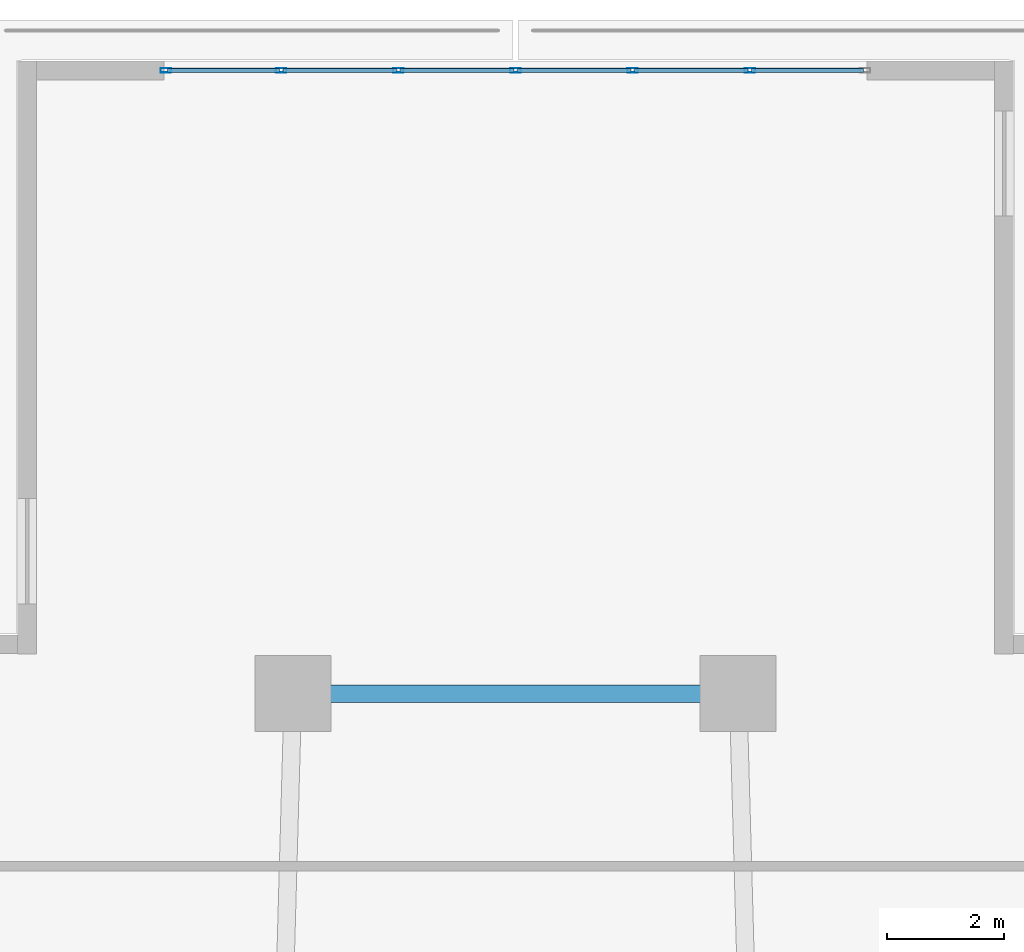
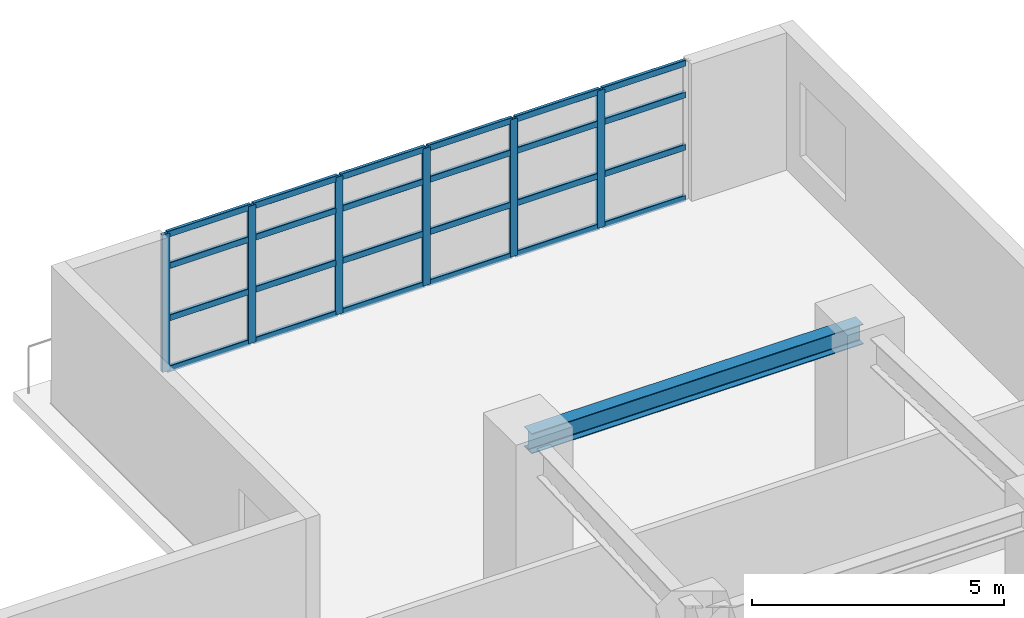
# One storey, part 9 of 23: 30 members, 1 beam, 1 element without a shape of its own.
"""IFC4 building model written with IfcOpenShell, lengths in metres."""

from ifc_helpers import new_model, si_unit, direction, frame, origin, origin_2d, place, context, subcontext, project, spatial, hollow_rectangle, i_section, extrude, material, layer, layer_set, material_profile, profile_set, type_object, element, aggregate, save


model = new_model("IFC4")

# Units and contexts
model_context = context("Model", 3, precision=1e-05, world=origin(), true_north=direction((0.0, 1.0)))
body_context = subcontext(model_context, "Body", "Model", "MODEL_VIEW")
ifc_project = project(units=[si_unit("LENGTHUNIT", "METRE"), si_unit("AREAUNIT", "SQUARE_METRE"), si_unit("VOLUMEUNIT", "CUBIC_METRE"), si_unit("PLANEANGLEUNIT", "RADIAN"), si_unit("MASSUNIT", "GRAM", prefix="KILO")], contexts=[model_context])

# Site, building, storey
site_placement = place(None, origin())
site = spatial("IfcSite", under=ifc_project, at=site_placement, CompositionType="ELEMENT")
building_placement = place(site_placement, origin())
building = spatial("IfcBuilding", under=site, at=building_placement, Name="Qingluan Cross Belvedere", CompositionType="ELEMENT")
storey_placement = place(building_placement, frame((0.0, 0.0, 10.199951171875)))
storey = spatial("IfcBuildingStorey", under=building, at=storey_placement, Name="L03", CompositionType="ELEMENT", Elevation=10.199951171875)

# Curtain wall, members
ifc_material_1 = material(Name="Thermally broken aluminium and Low-E glass", Category="aluminium")
ifc_layer = layer(ifc_material_1, 0.219970703125, Name="UnitisedCW_BallroomFoyer")
ifc_layer_set = layer_set([ifc_layer], Name="Thermally broken aluminium and Low-E glass")
curtain_wall_type = type_object("IfcCurtainWallType", Name="UnitisedCW_BallroomFoyer", PredefinedType="USERDEFINED", material=ifc_layer_set)
curtain_wall_placement = place(storey_placement, origin())
curtain_wall = element("IfcCurtainWall", 1, at=curtain_wall_placement, inside=storey, type_object=curtain_wall_type, Name="UnitisedCW_BallroomFoyer run env:cw:L03:N", ObjectType="UNITISED CURTAIN WALL", PredefinedType="USERDEFINED")
ifc_material_2 = material(Name="Aluminium alloy 6063-T6", Category="aluminium")
ifc_material_profile_1 = material_profile(ifc_material_2, hollow_rectangle(XDim=0.074951171875, YDim=0.179931640625, WallThickness=0.00390625, InnerFilletRadius=0.00390625, OuterFilletRadius=0.008056640625, at=origin_2d()), Name="CWM180x75x4")
ifc_profile_set_1 = profile_set([ifc_material_profile_1], Name="Aluminium alloy 6063-T6")
member_type_1 = type_object("IfcMemberType", Name="CWMullion_180", PredefinedType="MULLION", material=ifc_profile_set_1)
member_1_placement = place(storey_placement, frame((-5.969970703125, 37.639892578125, 0.0), z_axis=(0.0, 0.0, 1.0), x_axis=(0.0, 1.0, 0.0)))
member_1 = element("IfcMember", 2, at=member_1_placement, type_object=member_type_1, Name="CW-P2 mullion 1", PredefinedType="MULLION", context=body_context, shape_type="SweptSolid", body=[
    extrude(hollow_rectangle(XDim=0.074951171875, YDim=0.179931640625, WallThickness=0.00390625, InnerFilletRadius=0.00390625, OuterFilletRadius=0.008056640625, at=origin_2d()), origin(), (0.0, 0.0, 1.0), 3.330078125),
])
member_2_placement = place(storey_placement, frame((-4.0, 37.639892578125, 0.0), z_axis=(0.0, 0.0, 1.0), x_axis=(0.0, 1.0, 0.0)))
member_2 = element("IfcMember", 3, at=member_2_placement, type_object=member_type_1, Name="CW-P2 mullion 2", PredefinedType="MULLION", context=body_context, shape_type="SweptSolid", body=[
    extrude(hollow_rectangle(XDim=0.074951171875, YDim=0.179931640625, WallThickness=0.00390625, InnerFilletRadius=0.00390625, OuterFilletRadius=0.008056640625, at=origin_2d()), origin(), (0.0, 0.0, 1.0), 3.330078125),
])
member_3_placement = place(storey_placement, frame((-2.0, 37.639892578125, 0.0), z_axis=(0.0, 0.0, 1.0), x_axis=(0.0, 1.0, 0.0)))
member_3 = element("IfcMember", 4, at=member_3_placement, type_object=member_type_1, Name="CW-P2 mullion 3", PredefinedType="MULLION", context=body_context, shape_type="SweptSolid", body=[
    extrude(hollow_rectangle(XDim=0.074951171875, YDim=0.179931640625, WallThickness=0.00390625, InnerFilletRadius=0.00390625, OuterFilletRadius=0.008056640625, at=origin_2d()), origin(), (0.0, 0.0, 1.0), 3.330078125),
])
member_4_placement = place(storey_placement, frame((0.0, 37.639892578125, 0.0), z_axis=(0.0, 0.0, 1.0), x_axis=(0.0, 1.0, 0.0)))
member_4 = element("IfcMember", 5, at=member_4_placement, type_object=member_type_1, Name="CW-P2 mullion 4", PredefinedType="MULLION", context=body_context, shape_type="SweptSolid", body=[
    extrude(hollow_rectangle(XDim=0.074951171875, YDim=0.179931640625, WallThickness=0.00390625, InnerFilletRadius=0.00390625, OuterFilletRadius=0.008056640625, at=origin_2d()), origin(), (0.0, 0.0, 1.0), 3.330078125),
])
member_5_placement = place(storey_placement, frame((2.0, 37.639892578125, 0.0), z_axis=(0.0, 0.0, 1.0), x_axis=(0.0, 1.0, 0.0)))
member_5 = element("IfcMember", 6, at=member_5_placement, type_object=member_type_1, Name="CW-P2 mullion 5", PredefinedType="MULLION", context=body_context, shape_type="SweptSolid", body=[
    extrude(hollow_rectangle(XDim=0.074951171875, YDim=0.179931640625, WallThickness=0.00390625, InnerFilletRadius=0.00390625, OuterFilletRadius=0.008056640625, at=origin_2d()), origin(), (0.0, 0.0, 1.0), 3.330078125),
])
member_6_placement = place(storey_placement, frame((4.0, 37.639892578125, 0.0), z_axis=(0.0, 0.0, 1.0), x_axis=(0.0, 1.0, 0.0)))
member_6 = element("IfcMember", 7, at=member_6_placement, type_object=member_type_1, Name="CW-P2 mullion 6", PredefinedType="MULLION", context=body_context, shape_type="SweptSolid", body=[
    extrude(hollow_rectangle(XDim=0.074951171875, YDim=0.179931640625, WallThickness=0.00390625, InnerFilletRadius=0.00390625, OuterFilletRadius=0.008056640625, at=origin_2d()), origin(), (0.0, 0.0, 1.0), 3.330078125),
])
ifc_material_3 = material(Name="Aluminium alloy 6063-T6", Category="aluminium")
ifc_material_profile_2 = material_profile(ifc_material_3, hollow_rectangle(XDim=0.074951171875, YDim=0.14990234375, WallThickness=0.00390625, InnerFilletRadius=0.00390625, OuterFilletRadius=0.008056640625, at=origin_2d()), Name="CWT150x75x4")
ifc_profile_set_2 = profile_set([ifc_material_profile_2], Name="Aluminium alloy 6063-T6")
member_type_2 = type_object("IfcMemberType", Name="CWTransom_150", PredefinedType="USERDEFINED", material=ifc_profile_set_2)
member_7_placement = place(storey_placement, frame((-5.93994140625, 37.639892578125, 0.030029296875), z_axis=(1.0, 0.0, 0.0), x_axis=(0.0, 1.0, 0.0)))
member_7 = element("IfcMember", 8, at=member_7_placement, type_object=member_type_2, Name="CW-P2 transom 1.1", ObjectType="TRANSOM", PredefinedType="USERDEFINED", context=body_context, shape_type="SweptSolid", body=[
    extrude(hollow_rectangle(XDim=0.074951171875, YDim=0.14990234375, WallThickness=0.00390625, InnerFilletRadius=0.00390625, OuterFilletRadius=0.008056640625, at=origin_2d()), origin(), (0.0, 0.0, 1.0), 1.909912109375),
])
member_8_placement = place(storey_placement, frame((-5.93994140625, 37.639892578125, 1.26513671875), z_axis=(1.0, 0.0, 0.0), x_axis=(0.0, 1.0, 0.0)))
member_8 = element("IfcMember", 9, at=member_8_placement, type_object=member_type_2, Name="CW-P2 transom 1.2", ObjectType="TRANSOM", PredefinedType="USERDEFINED", context=body_context, shape_type="SweptSolid", body=[
    extrude(hollow_rectangle(XDim=0.074951171875, YDim=0.14990234375, WallThickness=0.00390625, InnerFilletRadius=0.00390625, OuterFilletRadius=0.008056640625, at=origin_2d()), origin(), (0.0, 0.0, 1.0), 1.909912109375),
])
member_9_placement = place(storey_placement, frame((-5.93994140625, 37.639892578125, 2.531005859375), z_axis=(1.0, 0.0, 0.0), x_axis=(0.0, 1.0, 0.0)))
member_9 = element("IfcMember", 10, at=member_9_placement, type_object=member_type_2, Name="CW-P2 transom 1.3", ObjectType="TRANSOM", PredefinedType="USERDEFINED", context=body_context, shape_type="SweptSolid", body=[
    extrude(hollow_rectangle(XDim=0.074951171875, YDim=0.14990234375, WallThickness=0.00390625, InnerFilletRadius=0.00390625, OuterFilletRadius=0.008056640625, at=origin_2d()), origin(), (0.0, 0.0, 1.0), 1.909912109375),
])
member_10_placement = place(storey_placement, frame((-5.93994140625, 37.639892578125, 3.300048828125), z_axis=(1.0, 0.0, 0.0), x_axis=(0.0, 1.0, 0.0)))
member_10 = element("IfcMember", 11, at=member_10_placement, type_object=member_type_2, Name="CW-P2 transom 1.4", ObjectType="TRANSOM", PredefinedType="USERDEFINED", context=body_context, shape_type="SweptSolid", body=[
    extrude(hollow_rectangle(XDim=0.074951171875, YDim=0.14990234375, WallThickness=0.00390625, InnerFilletRadius=0.00390625, OuterFilletRadius=0.008056640625, at=origin_2d()), origin(), (0.0, 0.0, 1.0), 1.909912109375),
])
member_11_placement = place(storey_placement, frame((-3.969970703125, 37.639892578125, 0.030029296875), z_axis=(1.0, 0.0, 0.0), x_axis=(0.0, 1.0, 0.0)))
member_11 = element("IfcMember", 12, at=member_11_placement, type_object=member_type_2, Name="CW-P2 transom 2.1", ObjectType="TRANSOM", PredefinedType="USERDEFINED", context=body_context, shape_type="SweptSolid", body=[
    extrude(hollow_rectangle(XDim=0.074951171875, YDim=0.14990234375, WallThickness=0.00390625, InnerFilletRadius=0.00390625, OuterFilletRadius=0.008056640625, at=origin_2d()), origin(), (0.0, 0.0, 1.0), 1.93994140625),
])
member_12_placement = place(storey_placement, frame((-3.969970703125, 37.639892578125, 1.26513671875), z_axis=(1.0, 0.0, 0.0), x_axis=(0.0, 1.0, 0.0)))
member_12 = element("IfcMember", 13, at=member_12_placement, type_object=member_type_2, Name="CW-P2 transom 2.2", ObjectType="TRANSOM", PredefinedType="USERDEFINED", context=body_context, shape_type="SweptSolid", body=[
    extrude(hollow_rectangle(XDim=0.074951171875, YDim=0.14990234375, WallThickness=0.00390625, InnerFilletRadius=0.00390625, OuterFilletRadius=0.008056640625, at=origin_2d()), origin(), (0.0, 0.0, 1.0), 1.93994140625),
])
member_13_placement = place(storey_placement, frame((-3.969970703125, 37.639892578125, 2.531005859375), z_axis=(1.0, 0.0, 0.0), x_axis=(0.0, 1.0, 0.0)))
member_13 = element("IfcMember", 14, at=member_13_placement, type_object=member_type_2, Name="CW-P2 transom 2.3", ObjectType="TRANSOM", PredefinedType="USERDEFINED", context=body_context, shape_type="SweptSolid", body=[
    extrude(hollow_rectangle(XDim=0.074951171875, YDim=0.14990234375, WallThickness=0.00390625, InnerFilletRadius=0.00390625, OuterFilletRadius=0.008056640625, at=origin_2d()), origin(), (0.0, 0.0, 1.0), 1.93994140625),
])
member_14_placement = place(storey_placement, frame((-3.969970703125, 37.639892578125, 3.300048828125), z_axis=(1.0, 0.0, 0.0), x_axis=(0.0, 1.0, 0.0)))
member_14 = element("IfcMember", 15, at=member_14_placement, type_object=member_type_2, Name="CW-P2 transom 2.4", ObjectType="TRANSOM", PredefinedType="USERDEFINED", context=body_context, shape_type="SweptSolid", body=[
    extrude(hollow_rectangle(XDim=0.074951171875, YDim=0.14990234375, WallThickness=0.00390625, InnerFilletRadius=0.00390625, OuterFilletRadius=0.008056640625, at=origin_2d()), origin(), (0.0, 0.0, 1.0), 1.93994140625),
])
member_15_placement = place(storey_placement, frame((-1.969970703125, 37.639892578125, 0.030029296875), z_axis=(1.0, 0.0, 0.0), x_axis=(0.0, 1.0, 0.0)))
member_15 = element("IfcMember", 16, at=member_15_placement, type_object=member_type_2, Name="CW-P2 transom 3.1", ObjectType="TRANSOM", PredefinedType="USERDEFINED", context=body_context, shape_type="SweptSolid", body=[
    extrude(hollow_rectangle(XDim=0.074951171875, YDim=0.14990234375, WallThickness=0.00390625, InnerFilletRadius=0.00390625, OuterFilletRadius=0.008056640625, at=origin_2d()), origin(), (0.0, 0.0, 1.0), 1.93994140625),
])
member_16_placement = place(storey_placement, frame((-1.969970703125, 37.639892578125, 1.26513671875), z_axis=(1.0, 0.0, 0.0), x_axis=(0.0, 1.0, 0.0)))
member_16 = element("IfcMember", 17, at=member_16_placement, type_object=member_type_2, Name="CW-P2 transom 3.2", ObjectType="TRANSOM", PredefinedType="USERDEFINED", context=body_context, shape_type="SweptSolid", body=[
    extrude(hollow_rectangle(XDim=0.074951171875, YDim=0.14990234375, WallThickness=0.00390625, InnerFilletRadius=0.00390625, OuterFilletRadius=0.008056640625, at=origin_2d()), origin(), (0.0, 0.0, 1.0), 1.93994140625),
])
member_17_placement = place(storey_placement, frame((-1.969970703125, 37.639892578125, 2.531005859375), z_axis=(1.0, 0.0, 0.0), x_axis=(0.0, 1.0, 0.0)))
member_17 = element("IfcMember", 18, at=member_17_placement, type_object=member_type_2, Name="CW-P2 transom 3.3", ObjectType="TRANSOM", PredefinedType="USERDEFINED", context=body_context, shape_type="SweptSolid", body=[
    extrude(hollow_rectangle(XDim=0.074951171875, YDim=0.14990234375, WallThickness=0.00390625, InnerFilletRadius=0.00390625, OuterFilletRadius=0.008056640625, at=origin_2d()), origin(), (0.0, 0.0, 1.0), 1.93994140625),
])
member_18_placement = place(storey_placement, frame((-1.969970703125, 37.639892578125, 3.300048828125), z_axis=(1.0, 0.0, 0.0), x_axis=(0.0, 1.0, 0.0)))
member_18 = element("IfcMember", 19, at=member_18_placement, type_object=member_type_2, Name="CW-P2 transom 3.4", ObjectType="TRANSOM", PredefinedType="USERDEFINED", context=body_context, shape_type="SweptSolid", body=[
    extrude(hollow_rectangle(XDim=0.074951171875, YDim=0.14990234375, WallThickness=0.00390625, InnerFilletRadius=0.00390625, OuterFilletRadius=0.008056640625, at=origin_2d()), origin(), (0.0, 0.0, 1.0), 1.93994140625),
])
member_19_placement = place(storey_placement, frame((0.030029296875, 37.639892578125, 0.030029296875), z_axis=(1.0, 0.0, 0.0), x_axis=(0.0, 1.0, 0.0)))
member_19 = element("IfcMember", 20, at=member_19_placement, type_object=member_type_2, Name="CW-P2 transom 4.1", ObjectType="TRANSOM", PredefinedType="USERDEFINED", context=body_context, shape_type="SweptSolid", body=[
    extrude(hollow_rectangle(XDim=0.074951171875, YDim=0.14990234375, WallThickness=0.00390625, InnerFilletRadius=0.00390625, OuterFilletRadius=0.008056640625, at=origin_2d()), origin(), (0.0, 0.0, 1.0), 1.93994140625),
])
member_20_placement = place(storey_placement, frame((0.030029296875, 37.639892578125, 1.26513671875), z_axis=(1.0, 0.0, 0.0), x_axis=(0.0, 1.0, 0.0)))
member_20 = element("IfcMember", 21, at=member_20_placement, type_object=member_type_2, Name="CW-P2 transom 4.2", ObjectType="TRANSOM", PredefinedType="USERDEFINED", context=body_context, shape_type="SweptSolid", body=[
    extrude(hollow_rectangle(XDim=0.074951171875, YDim=0.14990234375, WallThickness=0.00390625, InnerFilletRadius=0.00390625, OuterFilletRadius=0.008056640625, at=origin_2d()), origin(), (0.0, 0.0, 1.0), 1.93994140625),
])
member_21_placement = place(storey_placement, frame((0.030029296875, 37.639892578125, 2.531005859375), z_axis=(1.0, 0.0, 0.0), x_axis=(0.0, 1.0, 0.0)))
member_21 = element("IfcMember", 22, at=member_21_placement, type_object=member_type_2, Name="CW-P2 transom 4.3", ObjectType="TRANSOM", PredefinedType="USERDEFINED", context=body_context, shape_type="SweptSolid", body=[
    extrude(hollow_rectangle(XDim=0.074951171875, YDim=0.14990234375, WallThickness=0.00390625, InnerFilletRadius=0.00390625, OuterFilletRadius=0.008056640625, at=origin_2d()), origin(), (0.0, 0.0, 1.0), 1.93994140625),
])
member_22_placement = place(storey_placement, frame((0.030029296875, 37.639892578125, 3.300048828125), z_axis=(1.0, 0.0, 0.0), x_axis=(0.0, 1.0, 0.0)))
member_22 = element("IfcMember", 23, at=member_22_placement, type_object=member_type_2, Name="CW-P2 transom 4.4", ObjectType="TRANSOM", PredefinedType="USERDEFINED", context=body_context, shape_type="SweptSolid", body=[
    extrude(hollow_rectangle(XDim=0.074951171875, YDim=0.14990234375, WallThickness=0.00390625, InnerFilletRadius=0.00390625, OuterFilletRadius=0.008056640625, at=origin_2d()), origin(), (0.0, 0.0, 1.0), 1.93994140625),
])
member_23_placement = place(storey_placement, frame((2.030029296875, 37.639892578125, 0.030029296875), z_axis=(1.0, 0.0, 0.0), x_axis=(0.0, 1.0, 0.0)))
member_23 = element("IfcMember", 24, at=member_23_placement, type_object=member_type_2, Name="CW-P2 transom 5.1", ObjectType="TRANSOM", PredefinedType="USERDEFINED", context=body_context, shape_type="SweptSolid", body=[
    extrude(hollow_rectangle(XDim=0.074951171875, YDim=0.14990234375, WallThickness=0.00390625, InnerFilletRadius=0.00390625, OuterFilletRadius=0.008056640625, at=origin_2d()), origin(), (0.0, 0.0, 1.0), 1.93994140625),
])
member_24_placement = place(storey_placement, frame((2.030029296875, 37.639892578125, 1.26513671875), z_axis=(1.0, 0.0, 0.0), x_axis=(0.0, 1.0, 0.0)))
member_24 = element("IfcMember", 25, at=member_24_placement, type_object=member_type_2, Name="CW-P2 transom 5.2", ObjectType="TRANSOM", PredefinedType="USERDEFINED", context=body_context, shape_type="SweptSolid", body=[
    extrude(hollow_rectangle(XDim=0.074951171875, YDim=0.14990234375, WallThickness=0.00390625, InnerFilletRadius=0.00390625, OuterFilletRadius=0.008056640625, at=origin_2d()), origin(), (0.0, 0.0, 1.0), 1.93994140625),
])
member_25_placement = place(storey_placement, frame((2.030029296875, 37.639892578125, 2.531005859375), z_axis=(1.0, 0.0, 0.0), x_axis=(0.0, 1.0, 0.0)))
member_25 = element("IfcMember", 26, at=member_25_placement, type_object=member_type_2, Name="CW-P2 transom 5.3", ObjectType="TRANSOM", PredefinedType="USERDEFINED", context=body_context, shape_type="SweptSolid", body=[
    extrude(hollow_rectangle(XDim=0.074951171875, YDim=0.14990234375, WallThickness=0.00390625, InnerFilletRadius=0.00390625, OuterFilletRadius=0.008056640625, at=origin_2d()), origin(), (0.0, 0.0, 1.0), 1.93994140625),
])
member_26_placement = place(storey_placement, frame((2.030029296875, 37.639892578125, 3.300048828125), z_axis=(1.0, 0.0, 0.0), x_axis=(0.0, 1.0, 0.0)))
member_26 = element("IfcMember", 27, at=member_26_placement, type_object=member_type_2, Name="CW-P2 transom 5.4", ObjectType="TRANSOM", PredefinedType="USERDEFINED", context=body_context, shape_type="SweptSolid", body=[
    extrude(hollow_rectangle(XDim=0.074951171875, YDim=0.14990234375, WallThickness=0.00390625, InnerFilletRadius=0.00390625, OuterFilletRadius=0.008056640625, at=origin_2d()), origin(), (0.0, 0.0, 1.0), 1.93994140625),
])
member_27_placement = place(storey_placement, frame((4.030029296875, 37.639892578125, 0.030029296875), z_axis=(1.0, 0.0, 0.0), x_axis=(0.0, 1.0, 0.0)))
member_27 = element("IfcMember", 28, at=member_27_placement, type_object=member_type_2, Name="CW-P2 transom 6.1", ObjectType="TRANSOM", PredefinedType="USERDEFINED", context=body_context, shape_type="SweptSolid", body=[
    extrude(hollow_rectangle(XDim=0.074951171875, YDim=0.14990234375, WallThickness=0.00390625, InnerFilletRadius=0.00390625, OuterFilletRadius=0.008056640625, at=origin_2d()), origin(), (0.0, 0.0, 1.0), 1.909912109375),
])
member_28_placement = place(storey_placement, frame((4.030029296875, 37.639892578125, 1.26513671875), z_axis=(1.0, 0.0, 0.0), x_axis=(0.0, 1.0, 0.0)))
member_28 = element("IfcMember", 29, at=member_28_placement, type_object=member_type_2, Name="CW-P2 transom 6.2", ObjectType="TRANSOM", PredefinedType="USERDEFINED", context=body_context, shape_type="SweptSolid", body=[
    extrude(hollow_rectangle(XDim=0.074951171875, YDim=0.14990234375, WallThickness=0.00390625, InnerFilletRadius=0.00390625, OuterFilletRadius=0.008056640625, at=origin_2d()), origin(), (0.0, 0.0, 1.0), 1.909912109375),
])
member_29_placement = place(storey_placement, frame((4.030029296875, 37.639892578125, 2.531005859375), z_axis=(1.0, 0.0, 0.0), x_axis=(0.0, 1.0, 0.0)))
member_29 = element("IfcMember", 30, at=member_29_placement, type_object=member_type_2, Name="CW-P2 transom 6.3", ObjectType="TRANSOM", PredefinedType="USERDEFINED", context=body_context, shape_type="SweptSolid", body=[
    extrude(hollow_rectangle(XDim=0.074951171875, YDim=0.14990234375, WallThickness=0.00390625, InnerFilletRadius=0.00390625, OuterFilletRadius=0.008056640625, at=origin_2d()), origin(), (0.0, 0.0, 1.0), 1.909912109375),
])
member_30_placement = place(storey_placement, frame((4.030029296875, 37.639892578125, 3.300048828125), z_axis=(1.0, 0.0, 0.0), x_axis=(0.0, 1.0, 0.0)))
member_30 = element("IfcMember", 31, at=member_30_placement, type_object=member_type_2, Name="CW-P2 transom 6.4", ObjectType="TRANSOM", PredefinedType="USERDEFINED", context=body_context, shape_type="SweptSolid", body=[
    extrude(hollow_rectangle(XDim=0.074951171875, YDim=0.14990234375, WallThickness=0.00390625, InnerFilletRadius=0.00390625, OuterFilletRadius=0.008056640625, at=origin_2d()), origin(), (0.0, 0.0, 1.0), 1.909912109375),
])
aggregate(curtain_wall, [member_1, member_2, member_3, member_4, member_5, member_6, member_7, member_8, member_9, member_10, member_11, member_12, member_13, member_14, member_15, member_16, member_17, member_18, member_19, member_20, member_21, member_22, member_23, member_24, member_25, member_26, member_27, member_28, member_29, member_30])

# Beam
ifc_material_4 = material(Name="Steel Q420GJB", Category="steel")
ifc_material_profile_3 = material_profile(ifc_material_4, i_section(OverallWidth=0.300048828125, OverallDepth=0.488037109375, WebThickness=0.010986328125, FlangeThickness=0.01806640625, FilletRadius=0.02197265625, at=origin_2d()), Name="HM488x300x11x18")
ifc_profile_set_3 = profile_set([ifc_material_profile_3], Name="Steel Q420GJB")
beam_type = type_object("IfcBeamType", Name="Steel_Beam_HM488x300x11x18", PredefinedType="BEAM", material=ifc_profile_set_3)
beam_placement = place(storey_placement, frame((-3.800048828125, 27.0, 4.006103515625), z_axis=(1.0, 0.0, 0.0), x_axis=(0.0, 1.0, 0.0)))
element("IfcBeam", 32, at=beam_placement, inside=storey, type_object=beam_type, Name="Arm N tip transverse beam L03", PredefinedType="BEAM", context=body_context, shape_type="SweptSolid", body=[
    extrude(i_section(OverallWidth=0.300048828125, OverallDepth=0.488037109375, WebThickness=0.010986328125, FlangeThickness=0.01806640625, FilletRadius=0.02197265625, at=origin_2d()), origin(), (0.0, 0.0, 1.0), 7.60009765625),
])

save(model, "model.ifc")
